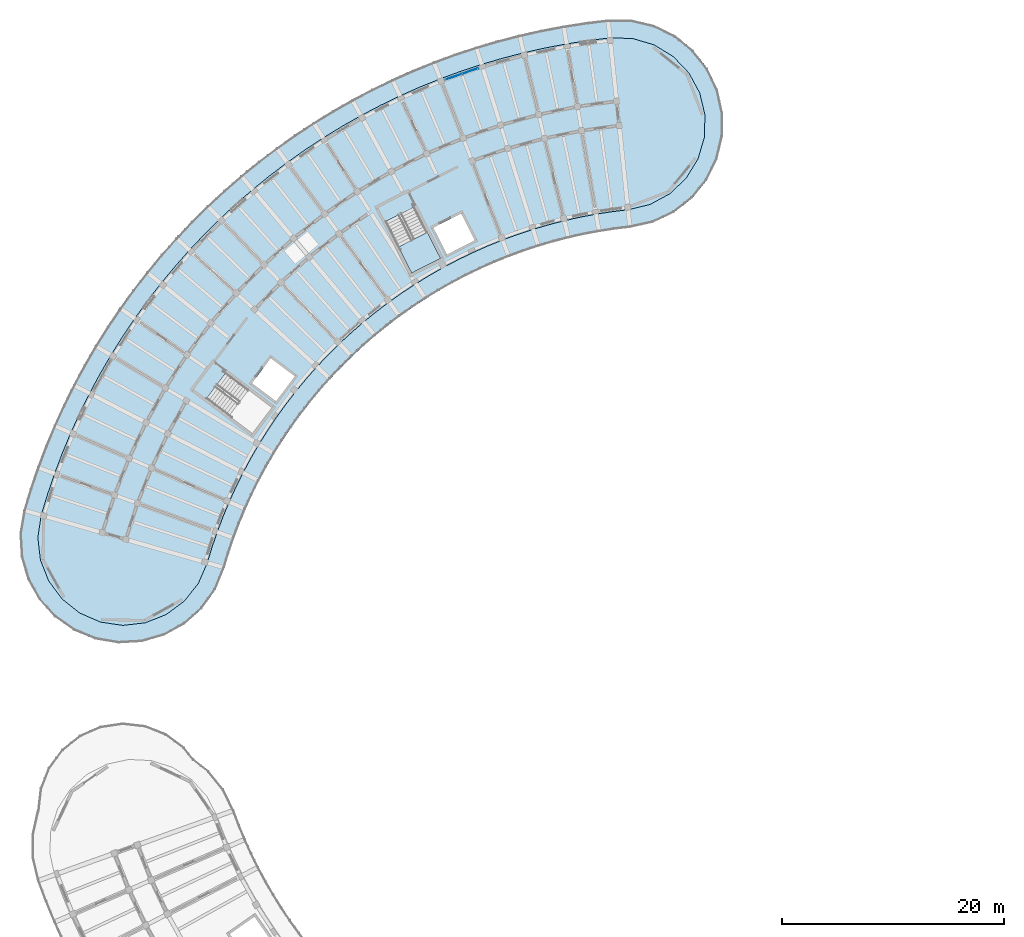
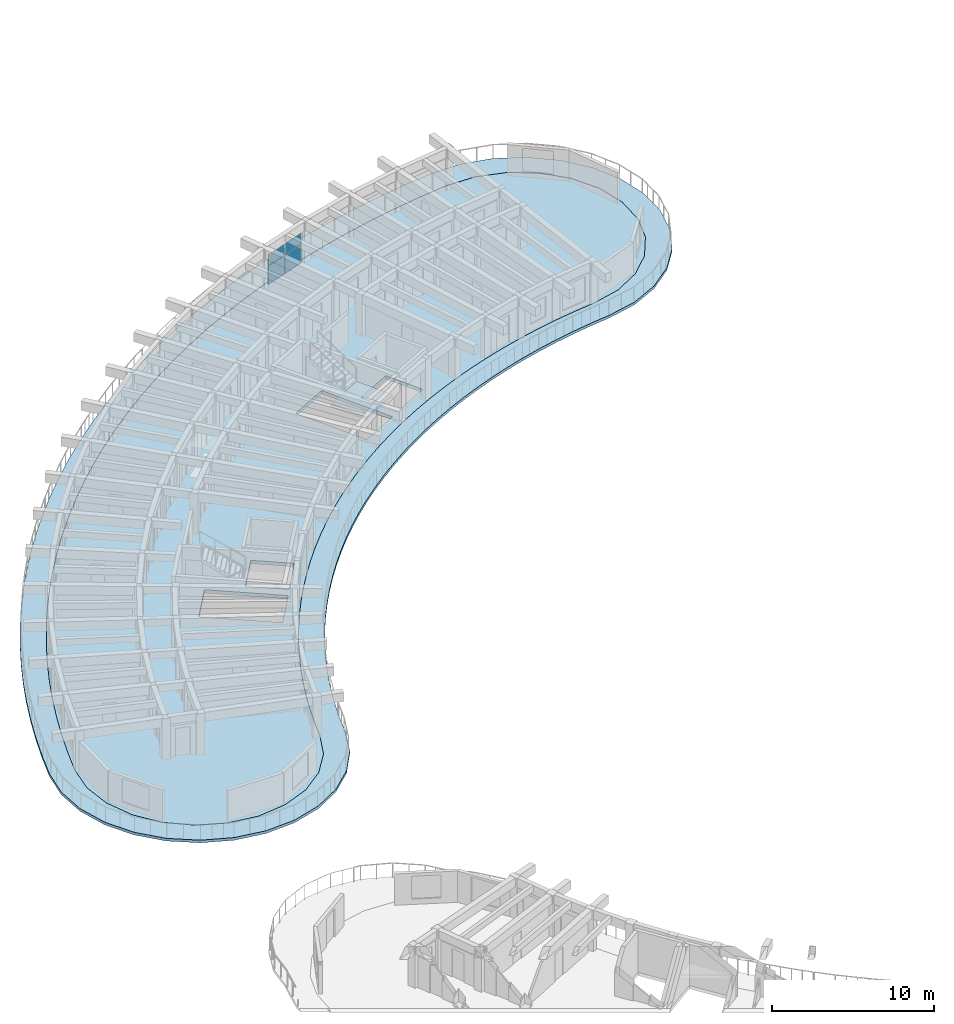
# One storey, part 32 of 78: 4 plates, 3 slabs, 2 elements without a shape of their own.
"""IFC4 building model written with IfcOpenShell, lengths in metres."""

import ifcopenshell
import ifcopenshell.guid

model = None  # the IFC model being written
_history = None  # IfcOwnerHistory: only IFC2X3 demands one
_inside = {}  # id of a spatial element -> (the spatial element, [elements in it])
_under = {}  # id of a project, library or spatial element -> (it, [spatial elements below it])
_declared = {}  # id of a project -> (the project, [libraries it declares])
_typed = {}  # id of a type object -> (the type object, [elements of that type])
_made_of = {}  # id of a material, layer set ... -> (it, [elements and type objects made of it])


def new_model(schema):
    """Start an empty IFC model of exactly this schema.

    Asked for "IFC4X3", IfcOpenShell would pick the latest addendum, in which some entities
    have other attributes; the version numbers below select the first issue.
    IFC2X3 requires an IfcOwnerHistory on every rooted entity: one is made here for all.
    """
    global model, _history
    if schema == "IFC4X3":
        model = ifcopenshell.file(schema_version=(4, 3, 0, 0))
    else:
        model = ifcopenshell.file(schema=schema)
    _inside.clear()
    _under.clear()
    _declared.clear()
    _typed.clear()
    _made_of.clear()
    _history = None
    if model.schema == "IFC2X3":
        org = make("IfcOrganization", Name="unknown")
        user = make(
            "IfcPersonAndOrganization",
            ThePerson=make("IfcPerson", FamilyName="unknown"),
            TheOrganization=org,
        )
        app = make(
            "IfcApplication",
            ApplicationDeveloper=org,
            Version="unknown",
            ApplicationFullName="unknown",
            ApplicationIdentifier="unknown",
        )
        _history = make(
            "IfcOwnerHistory",
            OwningUser=user,
            OwningApplication=app,
            ChangeAction="ADDED",
            CreationDate=0,
        )
    return model


def make(cls, **values):
    """One entity of the class cls with the attributes given. An attribute that is None is left unset."""
    return model.create_entity(
        cls, **{name: value for name, value in values.items() if value is not None}
    )


def rooted(cls, **values):
    """An entity with a GlobalId (a new one), such as an element, a storey or a relation."""
    return make(cls, GlobalId=ifcopenshell.guid.new(), OwnerHistory=_history, **values)


def si_unit(unit_type, name, prefix=None):
    """IfcSIUnit, for example si_unit("LENGTHUNIT", "METRE", prefix="MILLI")."""
    return make("IfcSIUnit", UnitType=unit_type, Prefix=prefix, Name=name)


def assignment(units):
    """IfcUnitAssignment: the units of a project."""
    return None if units is None else make("IfcUnitAssignment", Units=units)


def point(xyz):
    """IfcCartesianPoint."""
    return None if xyz is None else make("IfcCartesianPoint", Coordinates=xyz)


def direction(xyz):
    """IfcDirection."""
    return None if xyz is None else make("IfcDirection", DirectionRatios=xyz)


def frame(location, z_axis=None, x_axis=None):
    """IfcAxis2Placement3D, a coordinate frame: its origin and axes. An axis left out is left unset."""
    return make(
        "IfcAxis2Placement3D",
        Location=point(location),
        Axis=direction(z_axis),
        RefDirection=direction(x_axis),
    )


def frame_2d(location, x_axis=None):
    """IfcAxis2Placement2D, a coordinate frame in the plane: its origin and x axis."""
    return make(
        "IfcAxis2Placement2D", Location=point(location), RefDirection=direction(x_axis)
    )


def origin():
    """The frame at (0, 0, 0) with its axes left unset."""
    return frame((0.0, 0.0, 0.0))


def origin_2d():
    """The frame at (0, 0) in the plane with its x axis left unset."""
    return frame_2d((0.0, 0.0))


def place(relative_to, where):
    """IfcLocalPlacement: puts the frame where relative to a parent placement (None: the world)."""
    return make(
        "IfcLocalPlacement", PlacementRelTo=relative_to, RelativePlacement=where
    )


def context(
    kind, dimensions, precision=None, world=None, true_north=None, identifier=None
):
    """IfcGeometricRepresentationContext, for example the 3D "Model" context."""
    return make(
        "IfcGeometricRepresentationContext",
        ContextIdentifier=identifier,
        ContextType=kind,
        CoordinateSpaceDimension=dimensions,
        Precision=precision,
        WorldCoordinateSystem=world,
        TrueNorth=true_north,
    )


def subcontext(parent, identifier, kind, view, scale=None):
    """IfcGeometricRepresentationSubContext, for example "Body" below "Model"."""
    return make(
        "IfcGeometricRepresentationSubContext",
        ContextIdentifier=identifier,
        ContextType=kind,
        ParentContext=parent,
        TargetScale=scale,
        TargetView=view,
    )


def project(units=None, contexts=None):
    """IfcProject with its units and contexts."""
    return rooted(
        "IfcProject",
        Name="project",
        RepresentationContexts=contexts,
        UnitsInContext=assignment(units),
    )


def spatial(cls, under=None, at=None, **own):
    """A site, building, storey or space (cls), placed at a placement, below another one or the project."""
    s = rooted(cls, ObjectPlacement=at, **own)
    if under is not None:
        _under.setdefault(under.id(), (under, []))[1].append(s)
    return s


def polyline(points):
    """IfcPolyline through the points."""
    return make("IfcPolyline", Points=[point(p) for p in points])


def profile(cls, at=None, kind="AREA", **sizes):
    """A parametric profile (cls). Its sizes go by their IFC names, for example OverallWidth=200.0."""
    return make(cls, ProfileType=kind, Position=at, **sizes)


def rectangle(**sizes):
    """IfcRectangleProfileDef."""
    return profile("IfcRectangleProfileDef", **sizes)


def outline(outer, holes=None, kind="AREA"):
    """IfcArbitraryClosedProfileDef: a profile drawn as a closed curve; with holes, ...WithVoids."""
    if holes is None:
        return make("IfcArbitraryClosedProfileDef", ProfileType=kind, OuterCurve=outer)
    return make(
        "IfcArbitraryProfileDefWithVoids",
        ProfileType=kind,
        OuterCurve=outer,
        InnerCurves=holes,
    )


def extrude(swept, where, along, depth):
    """IfcExtrudedAreaSolid: the profile swept, set in the frame where, extruded along a direction by depth."""
    return make(
        "IfcExtrudedAreaSolid",
        SweptArea=swept,
        Position=where,
        ExtrudedDirection=direction(along),
        Depth=depth,
    )


def shape(context_of_items, identifier, shape_type, items):
    """IfcShapeRepresentation: the items that make up one representation, for example the "Body"."""
    return make(
        "IfcShapeRepresentation",
        ContextOfItems=context_of_items,
        RepresentationIdentifier=identifier,
        RepresentationType=shape_type,
        Items=items,
    )


def material(Name=None, Category=None):
    """IfcMaterial."""
    return make("IfcMaterial", Name=Name, Category=Category)


def layer(
    of_material, thickness, ventilated=None, Name=None, Category=None, Priority=None
):
    """IfcMaterialLayer: one layer of a wall or slab, of a material (None: an air gap)."""
    return make(
        "IfcMaterialLayer",
        Material=of_material,
        LayerThickness=thickness,
        IsVentilated=ventilated,
        Name=Name,
        Category=Category,
        Priority=Priority,
    )


def layer_set(layers, Name=None):
    """IfcMaterialLayerSet."""
    return make("IfcMaterialLayerSet", MaterialLayers=layers, LayerSetName=Name)


def made_of(thing, what):
    """Note that an element or type object is made of a material, layer set ...; save() writes the relation."""
    if what is not None:
        _made_of.setdefault(what.id(), (what, []))[1].append(thing)
    return thing


def type_object(cls, material=None, **own):
    """A type object (cls), such as IfcWallType, which elements share."""
    return made_of(rooted(cls, **own), material)


def element(
    cls,
    number,
    at=None,
    inside=None,
    cuts=None,
    type_object=None,
    material=None,
    context=None,
    identifier="Body",
    shape_type=None,
    held_by="IfcProductDefinitionShape",
    body=None,
    shapes=None,
    **own,
):
    """One element of the class cls, such as IfcWall. Its Tag is "e" and its number.

    at: its placement. inside: the storey or other place that contains it. cuts: it is an
    opening in that element (IfcRelVoidsElement). A single representation is given by context,
    identifier, shape_type and body (its items); several are given by shapes. held_by: the class
    of the entity that holds the representations. save() writes the other relations.
    """
    e = rooted(cls, Tag="e%d" % number, ObjectPlacement=at, **own)
    if body is not None:
        shapes = [shape(context, identifier, shape_type, body)]
    if shapes is not None:
        e.Representation = make(held_by, Representations=shapes)
    if inside is not None:
        _inside.setdefault(inside.id(), (inside, []))[1].append(e)
    if cuts is not None:
        rooted(
            "IfcRelVoidsElement", RelatingBuildingElement=cuts, RelatedOpeningElement=e
        )
    if type_object is not None:
        _typed.setdefault(type_object.id(), (type_object, []))[1].append(e)
    return made_of(e, material)


def aggregate(whole, parts):
    """IfcRelAggregates: a whole, such as a stair, and the parts it consists of."""
    return rooted("IfcRelAggregates", RelatingObject=whole, RelatedObjects=parts)


def save(model, path):
    """Write the relations noted so far, then the file.

    IfcRelAggregates (storeys below a building ...), IfcRelContainedInSpatialStructure (elements
    in a storey), IfcRelDefinesByType, IfcRelAssociatesMaterial and IfcRelDeclares: one each for
    every whole, place, type object, material and project.
    """
    for whole, parts in _under.values():
        aggregate(whole, parts)
    for where, things in _inside.values():
        rooted(
            "IfcRelContainedInSpatialStructure",
            RelatedElements=things,
            RelatingStructure=where,
        )
    for kind, things in _typed.values():
        rooted("IfcRelDefinesByType", RelatedObjects=things, RelatingType=kind)
    for what, things in _made_of.values():
        rooted("IfcRelAssociatesMaterial", RelatedObjects=things, RelatingMaterial=what)
    for by, libraries in _declared.values():
        rooted("IfcRelDeclares", RelatingContext=by, RelatedDefinitions=libraries)
    model.write(path)


model = new_model("IFC4")

# Units and contexts
model_context = context("Model", 3, precision=1e-05, world=origin(), true_north=direction((0.0, 1.0)))
body_context = subcontext(model_context, "Body", "Model", "MODEL_VIEW")
ifc_project = project(units=[si_unit("LENGTHUNIT", "METRE"), si_unit("AREAUNIT", "SQUARE_METRE"), si_unit("VOLUMEUNIT", "CUBIC_METRE"), si_unit("PLANEANGLEUNIT", "RADIAN"), si_unit("MASSUNIT", "GRAM", prefix="KILO")], contexts=[model_context])

# Site, building, storey
site_placement = place(None, origin())
site = spatial("IfcSite", under=ifc_project, at=site_placement, CompositionType="ELEMENT")
building_placement = place(site_placement, origin())
building = spatial("IfcBuilding", under=site, at=building_placement, Name="Tanwirah Colonnade Gardens", CompositionType="ELEMENT")
storey_placement = place(building_placement, frame((0.0, 0.0, 22.280029296875)))
storey = spatial("IfcBuildingStorey", under=building, at=storey_placement, Name="L06", CompositionType="ELEMENT", Elevation=22.280029296875)

# Curtain wall, plates
ifc_material_1 = material(Name="Bronze-anodised aluminium and solar-control low-E glass", Category="aluminium")
curtain_wall_type = type_object("IfcCurtainWallType", Name="CW-LOB", PredefinedType="NOTDEFINED", material=ifc_material_1)
curtain_wall_placement = place(storey_placement, origin())
curtain_wall = element("IfcCurtainWall", 1, at=curtain_wall_placement, inside=storey, type_object=curtain_wall_type, Name="Curtain Wall CW-A-L06-OUT-03", PredefinedType="NOTDEFINED")
ifc_material_2 = material(Name="Solar-control low-E double glazing", Category="glass")
ifc_layer_1 = layer(ifc_material_2, 0.028076171875)
ifc_layer_set_1 = layer_set([ifc_layer_1], Name="Solar-control low-E double glazing")
plate_type = type_object("IfcPlateType", Name="CWP-GLZ28", PredefinedType="CURTAIN_PANEL", material=ifc_layer_set_1)
plate_1_placement = place(storey_placement, frame((46.1474609375, 116.658447265625, 0.06005859375), z_axis=(0.0, 0.0, 1.0), x_axis=(-0.944248655073, -0.329233165694, 0.0)))
plate_1 = element("IfcPlate", 2, at=plate_1_placement, type_object=plate_type, Name="CW-LOB panel 1.1", PredefinedType="CURTAIN_PANEL", context=body_context, shape_type="SweptSolid", body=[
    extrude(rectangle(XDim=1.512939453125, YDim=0.028076171875, at=origin_2d()), origin(), (0.0, 0.0, 1.0), 1.3701171875),
])
plate_2_placement = place(storey_placement, frame((46.1474609375, 116.658447265625, 1.490234375), z_axis=(0.0, 0.0, 1.0), x_axis=(-0.944248655073, -0.329233165694, 0.0)))
plate_2 = element("IfcPlate", 3, at=plate_2_placement, type_object=plate_type, Name="CW-LOB panel 1.2", PredefinedType="CURTAIN_PANEL", context=body_context, shape_type="SweptSolid", body=[
    extrude(rectangle(XDim=1.512939453125, YDim=0.028076171875, at=origin_2d()), origin(), (0.0, 0.0, 1.0), 0.804931640625),
])
plate_3_placement = place(storey_placement, frame((44.662353515625, 116.140625, 0.06005859375), z_axis=(0.0, 0.0, 1.0), x_axis=(-0.944248655073, -0.329233165694, 0.0)))
plate_3 = element("IfcPlate", 4, at=plate_3_placement, type_object=plate_type, Name="CW-LOB panel 2.1", PredefinedType="CURTAIN_PANEL", context=body_context, shape_type="SweptSolid", body=[
    extrude(rectangle(XDim=1.512939453125, YDim=0.028076171875, at=origin_2d()), origin(), (0.0, 0.0, 1.0), 1.3701171875),
])
plate_4_placement = place(storey_placement, frame((44.662353515625, 116.140625, 1.490234375), z_axis=(0.0, 0.0, 1.0), x_axis=(-0.944248655073, -0.329233165694, 0.0)))
plate_4 = element("IfcPlate", 5, at=plate_4_placement, type_object=plate_type, Name="CW-LOB panel 2.2", PredefinedType="CURTAIN_PANEL", context=body_context, shape_type="SweptSolid", body=[
    extrude(rectangle(XDim=1.512939453125, YDim=0.028076171875, at=origin_2d()), origin(), (0.0, 0.0, 1.0), 0.804931640625),
])
aggregate(curtain_wall, [plate_1, plate_2, plate_3, plate_4])

# Slab
ifc_material_3 = material(Name="White architectural precast concrete C40/50", Category="concrete")
ifc_layer_2 = layer(ifc_material_3, 0.199951171875)
ifc_layer_set_2 = layer_set([ifc_layer_2], Name="White architectural precast concrete C40/50")
slab_type_1 = type_object("IfcSlabType", Name="SL-BAL-200", PredefinedType="FLOOR", material=ifc_layer_set_2)
slab_1_placement = place(storey_placement, frame((0.0, 0.0, -0.199951171875)))
element("IfcSlab", 6, at=slab_1_placement, inside=storey, type_object=slab_type_1, Name="Block A L06 Continuous White Balcony Ribbon", PredefinedType="FLOOR", context=body_context, shape_type="SweptSolid", body=[
    extrude(outline(polyline([(62.602783203125, 103.019775390625), (64.505859375, 103.918701171875), (66.161376953125, 105.21875), (67.486083984375, 106.854736328125), (68.41357421875, 108.744140625), (68.897216796875, 110.792724609375), (68.9130859375, 112.897705078125), (68.4599609375, 114.953369140625), (67.560791015625, 116.8564453125), (66.2607421875, 118.511962890625), (64.625, 119.836669921875), (62.7353515625, 120.76416015625), (60.686767578125, 121.247802734375), (58.58203125, 121.263671875), (56.57275390625, 121.018798828125), (54.572509765625, 120.7080078125), (52.583740234375, 120.33154296875), (50.608642578125, 119.8896484375), (48.64892578125, 119.3828125), (46.70703125, 118.811767578125), (44.78515625, 118.1767578125), (42.885009765625, 117.47900390625), (41.009033203125, 116.718994140625), (39.1591796875, 115.8974609375), (37.33740234375, 115.015380859375), (35.545654296875, 114.073974609375), (33.785888671875, 113.07373046875), (32.06005859375, 112.01611328125), (30.3701171875, 110.90234375), (28.717529296875, 109.7333984375), (27.104736328125, 108.510498046875), (25.532958984375, 107.235107421875), (24.00390625, 105.90869140625), (22.51953125, 104.532470703125), (21.08154296875, 103.108154296875), (19.69091796875, 101.63720703125), (18.349853515625, 100.121337890625), (17.059326171875, 98.56201171875), (15.82080078125, 96.9609375), (14.6357421875, 95.320068359375), (13.505615234375, 93.640869140625), (12.431396484375, 91.92529296875), (11.414306640625, 90.17529296875), (10.455322265625, 88.392822265625), (9.5556640625, 86.57958984375), (8.71630859375, 84.73779296875), (7.93798828125, 82.869140625), (7.221923828125, 80.97607421875), (6.568359375, 79.060302734375), (5.978515625, 77.1240234375), (5.62841796875, 75.048583984375), (5.749267578125, 72.947021484375), (6.33447265625, 70.925048828125), (7.35498046875, 69.083984375), (8.759521484375, 67.516357421875), (10.477783203125, 66.30029296875), (12.42333984375, 65.497314453125), (14.4990234375, 65.147216796875), (16.6005859375, 65.267822265625), (18.62255859375, 65.853271484375), (20.46337890625, 66.873779296875), (22.03125, 68.2783203125), (23.2470703125, 69.996337890625), (24.05029296875, 71.942138671875), (24.45947265625, 73.28564453125), (24.912841796875, 74.61474609375), (25.409912109375, 75.92822265625), (25.94970703125, 77.224609375), (26.531982421875, 78.50244140625), (27.15625, 79.760498046875), (27.821533203125, 80.997314453125), (28.52734375, 82.21142578125), (29.272705078125, 83.401611328125), (30.056884765625, 84.566650390625), (30.87890625, 85.705078125), (31.73828125, 86.81591796875), (32.633544921875, 87.89794921875), (33.564208984375, 88.94970703125), (34.52880859375, 89.97021484375), (35.526611328125, 90.95849609375), (36.556396484375, 91.9130859375), (37.6171875, 92.83349609375), (38.707763671875, 93.71826171875), (39.826904296875, 94.566650390625), (40.973388671875, 95.3779296875), (42.14599609375, 96.150634765625), (43.34326171875, 96.884521484375), (44.564208984375, 97.578369140625), (45.807373046875, 98.231689453125), (47.0712890625, 98.843505859375), (48.354736328125, 99.41357421875), (49.656494140625, 99.94091796875), (50.974609375, 100.425048828125), (52.30810546875, 100.865478515625), (53.655517578125, 101.26171875), (55.01513671875, 101.61328125), (56.385498046875, 101.919921875), (57.765380859375, 102.18115234375), (59.153076171875, 102.396728515625), (60.547119140625, 102.566650390625), (62.602783203125, 103.019775390625)]), holes=[polyline([(62.3525390625, 104.652099609375), (60.376220703125, 104.177490234375), (58.930908203125, 104.00146484375), (58.930419921875, 104.00146484375), (57.490478515625, 103.777587890625), (57.489990234375, 103.777587890625), (56.058349609375, 103.506591796875), (56.0576171875, 103.50634765625), (54.6357421875, 103.188232421875), (54.635009765625, 103.18798828125), (53.224365234375, 102.8232421875), (53.2236328125, 102.822998046875), (51.825927734375, 102.411865234375), (51.8251953125, 102.411865234375), (50.441650390625, 101.954833984375), (50.44091796875, 101.95458984375), (49.0732421875, 101.4521484375), (49.07275390625, 101.451904296875), (47.72216796875, 100.90478515625), (47.7216796875, 100.904541015625), (46.389892578125, 100.313232421875), (46.38916015625, 100.31298828125), (45.077880859375, 99.677978515625), (45.0771484375, 99.677734375), (43.787353515625, 99.0), (43.786865234375, 98.99951171875), (42.52001953125, 98.279541015625), (42.51953125, 98.279296875), (41.277099609375, 97.51806640625), (41.276611328125, 97.517578125), (40.059814453125, 96.7158203125), (40.059326171875, 96.71533203125), (38.869873046875, 95.873779296875), (38.869384765625, 95.87353515625), (37.708251953125, 94.9931640625), (37.707763671875, 94.99267578125), (36.576171875, 94.07470703125), (36.57568359375, 94.07421875), (35.47509765625, 93.119384765625), (35.474609375, 93.118896484375), (34.406005859375, 92.12841796875), (34.405517578125, 92.1279296875), (33.370361328125, 91.1025390625), (33.369873046875, 91.10205078125), (32.368896484375, 90.043212890625), (32.368408203125, 90.042724609375), (31.40283203125, 88.951416015625), (31.402587890625, 88.950927734375), (30.473388671875, 87.828369140625), (30.47314453125, 87.827880859375), (29.58154296875, 86.67529296875), (29.581298828125, 86.6748046875), (28.728271484375, 85.493408203125), (28.727783203125, 85.492919921875), (27.9140625, 84.2841796875), (27.913818359375, 84.28369140625), (27.140380859375, 83.048828125), (27.14013671875, 83.048095703125), (26.407958984375, 81.788330078125), (26.40771484375, 81.787841796875), (25.71728515625, 80.504638671875), (25.717041015625, 80.504150390625), (25.0693359375, 79.19873046875), (25.069091796875, 79.1982421875), (24.46484375, 77.872314453125), (24.464599609375, 77.87158203125), (23.904296875, 76.526611328125), (23.904052734375, 76.52587890625), (23.388671875, 75.1630859375), (23.388427734375, 75.16259765625), (22.91796875, 73.783447265625), (22.917724609375, 73.78271484375), (22.493408203125, 72.39013671875), (21.68310546875, 70.526123046875), (20.418701171875, 68.936767578125), (18.7861328125, 67.728759765625), (16.896484375, 66.984375), (14.878662109375, 66.75439453125), (12.869873046875, 67.0546875), (11.007568359375, 67.864501953125), (9.41796875, 69.12890625), (8.2099609375, 70.761474609375), (7.465576171875, 72.651123046875), (7.23583984375, 74.6689453125), (7.5361328125, 76.6787109375), (8.110107421875, 78.562744140625), (8.746337890625, 80.427978515625), (9.443603515625, 82.271240234375), (10.201171875, 84.09033203125), (11.0185546875, 85.883544921875), (11.89453125, 87.64892578125), (12.828125, 89.384521484375), (13.818359375, 91.08837890625), (14.8642578125, 92.758544921875), (15.964599609375, 94.393310546875), (17.118408203125, 95.990966796875), (18.32421875, 97.5498046875), (19.58056640625, 99.068115234375), (20.886474609375, 100.5439453125), (22.240234375, 101.97607421875), (23.640380859375, 103.36279296875), (25.085693359375, 104.70263671875), (26.57421875, 105.994140625), (28.1044921875, 107.23583984375), (29.6748046875, 108.42626953125), (31.28369140625, 109.564453125), (32.92919921875, 110.649169921875), (34.609375, 111.6787109375), (36.32275390625, 112.652587890625), (38.067138671875, 113.5693359375), (39.841064453125, 114.427978515625), (41.64208984375, 115.227783203125), (43.468505859375, 115.9677734375), (45.318359375, 116.647216796875), (47.189697265625, 117.26513671875), (49.080322265625, 117.8212890625), (50.98828125, 118.314697265625), (52.911376953125, 118.744873046875), (54.84765625, 119.111572265625), (56.795166015625, 119.414306640625), (58.750244140625, 119.65234375), (60.781494140625, 119.59912109375), (62.728759765625, 119.0224609375), (64.46044921875, 117.961181640625), (65.858642578125, 116.488037109375), (66.82763671875, 114.703125), (67.3017578125, 112.728271484375), (67.24853515625, 110.697998046875), (66.671630859375, 108.750732421875), (65.610595703125, 107.01904296875), (64.137451171875, 105.62109375), (62.3525390625, 104.652099609375)])]), origin(), (0.0, 0.0, 1.0), 0.199951171875),
])

# Stair, slab
ifc_material_4 = material(Name="Precast concrete C40/50", Category="concrete")
stair_type = type_object("IfcStairType", Name="ST-RES168", PredefinedType="HALF_TURN_STAIR", material=ifc_material_4)
stair_placement = place(storey_placement, origin())
stair = element("IfcStair", 7, at=stair_placement, inside=storey, type_object=stair_type, Name="L06 Block A Core 1 Exit Stair", PredefinedType="HALF_TURN_STAIR")
ifc_layer_3 = layer(ifc_material_4, 0.205078125)
ifc_layer_set_3 = layer_set([ifc_layer_3], Name="Precast concrete C40/50")
slab_type_2 = type_object("IfcSlabType", Name="SL-LND-205", PredefinedType="LANDING", material=ifc_layer_set_3)
slab_2_placement = place(storey_placement, frame((0.0, 0.0, 1.474853515625)))
slab_2 = element("IfcSlab", 8, at=slab_2_placement, type_object=slab_type_2, Name="ST-A1 landing 1", PredefinedType="LANDING", context=body_context, shape_type="SweptSolid", body=[
    extrude(outline(polyline([(39.6982421875, 100.826171875), (40.89453125, 98.478515625), (43.496337890625, 99.80419921875), (42.300048828125, 102.15185546875), (39.6982421875, 100.826171875)])), origin(), (0.0, 0.0, 1.0), 0.205078125),
])
aggregate(stair, [slab_2])

# Slab
ifc_layer_4 = layer(ifc_material_4, 0.25)
ifc_layer_set_4 = layer_set([ifc_layer_4], Name="Precast concrete C40/50")
slab_type_3 = type_object("IfcSlabType", Name="SL-RES-250", PredefinedType="FLOOR", material=ifc_layer_set_4)
slab_3_placement = place(storey_placement, frame((0.0, 0.0, -0.25)))
element("IfcSlab", 9, at=slab_3_placement, inside=storey, type_object=slab_type_3, Name="Block A L06 Precast Composite Floor Slab", PredefinedType="FLOOR", context=body_context, shape_type="SweptSolid", body=[
    extrude(outline(polyline([(57.49365234375, 103.758056640625), (58.933349609375, 103.981689453125), (60.3798828125, 104.157958984375), (62.35986328125, 104.63330078125), (64.149169921875, 105.604736328125), (65.626220703125, 107.00634765625), (66.690185546875, 108.74267578125), (67.2685546875, 110.695068359375), (67.32177734375, 112.73046875), (66.846435546875, 114.71044921875), (65.874755859375, 116.499755859375), (64.47314453125, 117.976806640625), (62.737060546875, 119.040771484375), (60.78466796875, 119.619140625), (58.749267578125, 119.67236328125), (56.792236328125, 119.43408203125), (54.84423828125, 119.13134765625), (52.907470703125, 118.7646484375), (50.983642578125, 118.334228515625), (49.074951171875, 117.840576171875), (47.183837890625, 117.284423828125), (45.311767578125, 116.666015625), (43.46142578125, 115.986328125), (41.63427734375, 115.24609375), (39.83251953125, 114.446044921875), (38.05810546875, 113.587158203125), (36.313232421875, 112.669921875), (34.599365234375, 111.696044921875), (32.91845703125, 110.666015625), (31.2724609375, 109.5810546875), (29.6630859375, 108.442626953125), (28.092041015625, 107.25146484375), (26.561279296875, 106.009521484375), (25.072265625, 104.717529296875), (23.62646484375, 103.377197265625), (22.225830078125, 101.990234375), (20.87158203125, 100.5576171875), (19.5654296875, 99.0810546875), (18.30859375, 97.562255859375), (17.102294921875, 96.0029296875), (15.9482421875, 94.40478515625), (14.847412109375, 92.76953125), (13.80126953125, 91.0986328125), (12.810546875, 89.394287109375), (11.876708984375, 87.658203125), (11.00048828125, 85.892333984375), (10.182861328125, 84.098388671875), (9.425048828125, 82.278564453125), (8.7275390625, 80.434814453125), (8.091064453125, 78.56884765625), (7.5166015625, 76.68310546875), (7.215576171875, 74.669189453125), (7.446044921875, 72.646240234375), (8.1923828125, 70.751708984375), (9.403564453125, 69.11474609375), (10.9970703125, 67.84716796875), (12.864501953125, 67.035400390625), (14.878173828125, 66.734375), (16.9013671875, 66.96484375), (18.7958984375, 67.711181640625), (20.4326171875, 68.92236328125), (21.7001953125, 70.515869140625), (22.51220703125, 72.383056640625), (22.93701171875, 73.777099609375), (23.4072265625, 75.156005859375), (23.9228515625, 76.518798828125), (24.483154296875, 77.864013671875), (25.08740234375, 79.18994140625), (25.73486328125, 80.4951171875), (26.42529296875, 81.7783203125), (27.157470703125, 83.0380859375), (27.9306640625, 84.27294921875), (28.744384765625, 85.48193359375), (29.597412109375, 86.6630859375), (30.489013671875, 87.815673828125), (31.41796875, 88.938232421875), (32.38330078125, 90.029541015625), (33.38427734375, 91.08837890625), (34.419677734375, 92.11376953125), (35.48828125, 93.104248046875), (36.5888671875, 94.05908203125), (37.72021484375, 94.977294921875), (38.88134765625, 95.857421875), (40.07080078125, 96.698974609375), (41.28759765625, 97.5009765625), (42.52978515625, 98.26220703125), (43.796630859375, 98.982177734375), (45.08642578125, 99.659912109375), (46.39794921875, 100.294921875), (47.729736328125, 100.88623046875), (49.080078125, 101.433349609375), (50.447998046875, 101.935791015625), (51.83154296875, 102.392822265625), (53.229248046875, 102.803955078125), (54.64013671875, 103.168701171875), (56.06201171875, 103.48681640625), (57.49365234375, 103.758056640625)]), holes=[polyline([(41.13427734375, 104.433349609375), (43.49365234375, 99.802734375), (40.897216796875, 98.479736328125), (38.537841796875, 103.1103515625), (41.13427734375, 104.433349609375)]), polyline([(46.574462890625, 101.428466796875), (44.07958984375, 100.157470703125), (42.853759765625, 102.563232421875), (45.3486328125, 103.834228515625), (46.574462890625, 101.428466796875)]), polyline([(26.555908203125, 84.039794921875), (22.4052734375, 87.16748046875), (24.158935546875, 89.49462890625), (28.3095703125, 86.366943359375), (26.555908203125, 84.039794921875)]), polyline([(26.5244140625, 88.5673828125), (28.20947265625, 90.8037109375), (30.36572265625, 89.1787109375), (28.6806640625, 86.942626953125), (26.5244140625, 88.5673828125)])]), origin(), (0.0, 0.0, 1.0), 0.25),
])

save(model, "model.ifc")
